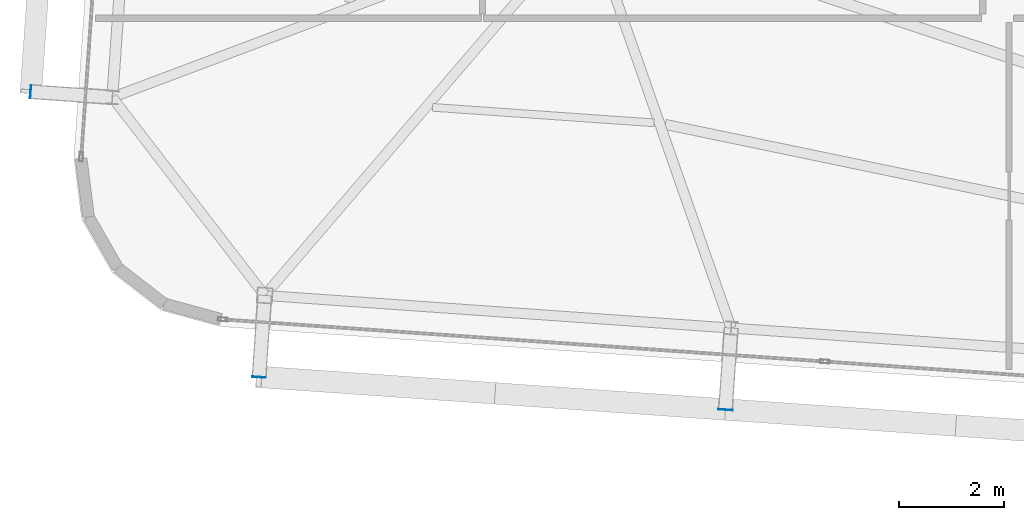
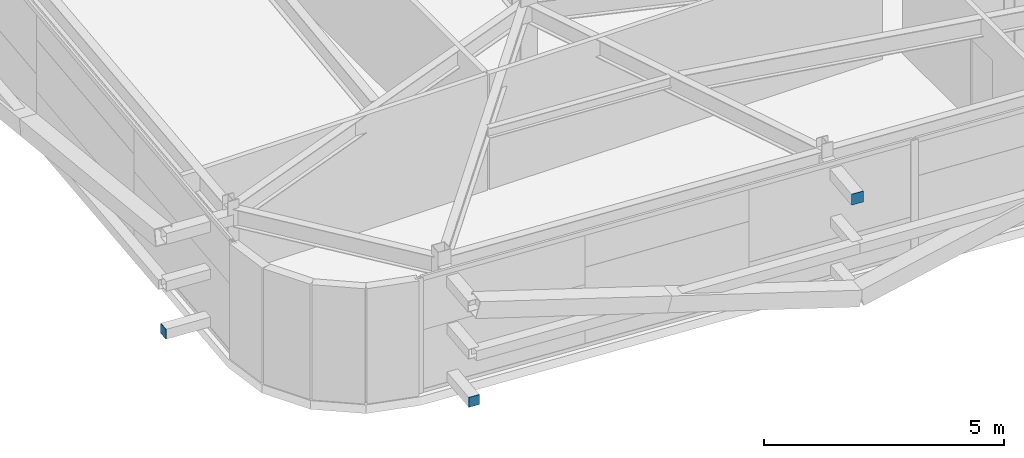
# One storey, part 27 of 39: 3 plates.
"""IFC4 building model written with IfcOpenShell, lengths in metres."""

from ifc_helpers import new_model, si_unit, direction, frame, origin, origin_2d, place, context, subcontext, project, spatial, rectangle, extrude, source, transform, mapped, material, layer, layer_set, type_object, element, save


model = new_model("IFC4")

# Units and contexts
model_context = context("Model", 3, precision=1e-05, world=origin(), true_north=direction((0.0, 1.0)))
body_context = subcontext(model_context, "Body", "Model", "MODEL_VIEW")
ifc_project = project(units=[si_unit("LENGTHUNIT", "METRE"), si_unit("AREAUNIT", "SQUARE_METRE"), si_unit("VOLUMEUNIT", "CUBIC_METRE"), si_unit("PLANEANGLEUNIT", "RADIAN"), si_unit("MASSUNIT", "GRAM", prefix="KILO")], contexts=[model_context])

# Site, building, storey
site_placement = place(None, origin())
site = spatial("IfcSite", under=ifc_project, at=site_placement, CompositionType="ELEMENT")
building_placement = place(site_placement, origin())
building = spatial("IfcBuilding", under=site, at=building_placement, Name="Taldren Reach Tower", CompositionType="ELEMENT")
storey_placement = place(building_placement, frame((0.0, 0.0, 129.85009765625)))
storey = spatial("IfcBuildingStorey", under=building, at=storey_placement, Name="L39", CompositionType="ELEMENT", Elevation=129.85009765625)

# Plates
ifc_material_1 = material(Name="Steel Gr 450 (C450L0)", Category="steel")
ifc_layer_1 = layer(ifc_material_1, 0.011962890625)
ifc_layer_set_1 = layer_set([ifc_layer_1], Name="Steel Gr 450 (C450L0)")
plate_type_1 = type_object("IfcPlateType", Name="PL-CAP-275", PredefinedType="SHEET", material=ifc_layer_set_1)
shared_shape_1 = source(origin(), body_context, "Body", "SweptSolid", [
    extrude(rectangle(XDim=0.27490234375, YDim=0.011962890625, at=origin_2d()), origin(), (0.0, 0.0, 1.0), 0.27490234375),
])
plate_1_placement = place(storey_placement, frame((20.61328125, 3.166748046875, 2.512451171875), z_axis=(0.0, 0.0, 1.0), x_axis=(0.99756405026, -0.069756473744, 0.0)))
element("IfcPlate", 1, at=plate_1_placement, inside=storey, type_object=plate_type_1, Name="Tie strut end cap plate B3-S2 L39", PredefinedType="SHEET", context=body_context, shape_type="MappedRepresentation", body=[
    mapped(shared_shape_1, transform((0.0, 0.0, 0.0), scale=1.0)),
])
ifc_material_2 = material(Name="Steel Gr 350 (C350L0)", Category="steel")
ifc_layer_2 = layer(ifc_material_2, 0.011962890625)
ifc_layer_set_2 = layer_set([ifc_layer_2], Name="Steel Gr 350 (C350L0)")
plate_type_2 = type_object("IfcPlateType", Name="PL-CAP-250", PredefinedType="SHEET", material=ifc_layer_set_2)
shared_shape_2 = source(origin(), body_context, "Body", "SweptSolid", [
    extrude(rectangle(XDim=0.25, YDim=0.011962890625, at=origin_2d()), origin(), (0.0, 0.0, 1.0), 0.25),
])
plate_2_placement = place(storey_placement, frame((11.755126953125, 3.7861328125, 0.094970703125), z_axis=(0.0, 0.0, 1.0), x_axis=(0.99756405026, -0.069756473744, 0.0)))
element("IfcPlate", 2, at=plate_2_placement, inside=storey, type_object=plate_type_2, Name="Tie strut end cap plate B3-S1 L39", PredefinedType="SHEET", context=body_context, shape_type="MappedRepresentation", body=[
    mapped(shared_shape_2, transform((0.0, 0.0, 0.0), scale=1.0)),
])
shared_shape_3 = source(origin(), body_context, "Body", "SweptSolid", [
    extrude(rectangle(XDim=0.011962890625, YDim=0.25, at=origin_2d()), origin(), (0.0, 0.0, 1.0), 0.25),
])
plate_3_placement = place(storey_placement, frame((7.416748046875, 9.2080078125, 0.094970703125), z_axis=(0.0, 0.0, 1.0), x_axis=(0.99756405026, -0.069756473744, 0.0)))
element("IfcPlate", 3, at=plate_3_placement, inside=storey, type_object=plate_type_2, Name="Tie strut end cap plate B3-W1 L39", PredefinedType="SHEET", context=body_context, shape_type="MappedRepresentation", body=[
    mapped(shared_shape_3, transform((0.0, 0.0, 0.0), scale=1.0)),
])

save(model, "model.ifc")
